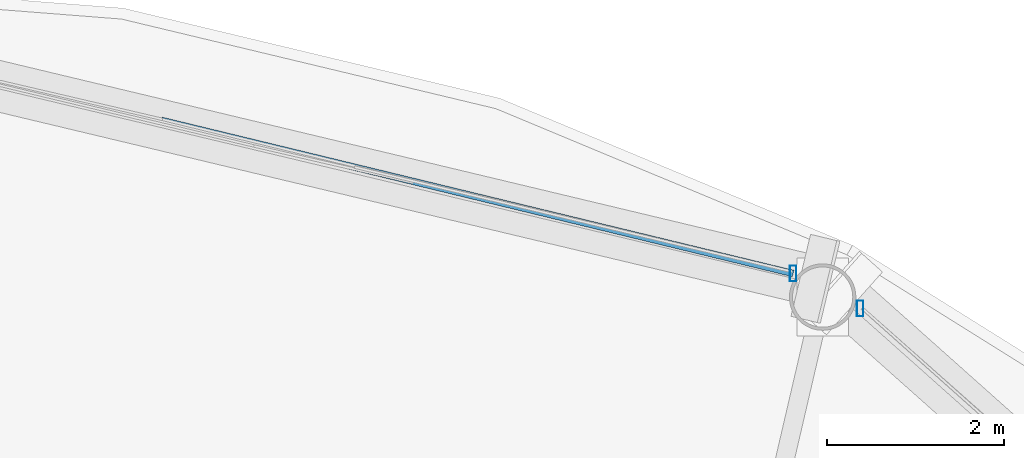
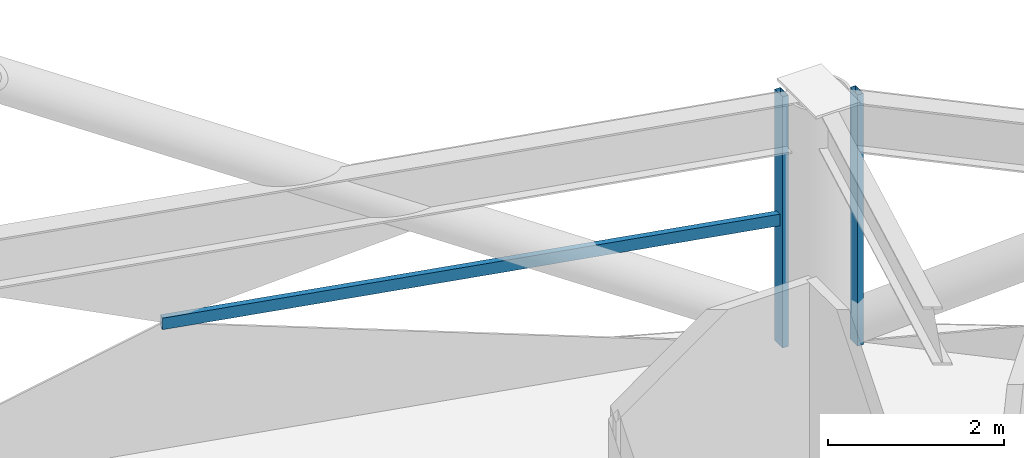
# One storey, part 19 of 29: 3 members, 2 elements without a shape of their own.
"""IFC4 building model written with IfcOpenShell, lengths in metres."""

import ifcopenshell
import ifcopenshell.guid

model = None  # the IFC model being written
_history = None  # IfcOwnerHistory: only IFC2X3 demands one
_inside = {}  # id of a spatial element -> (the spatial element, [elements in it])
_under = {}  # id of a project, library or spatial element -> (it, [spatial elements below it])
_declared = {}  # id of a project -> (the project, [libraries it declares])
_typed = {}  # id of a type object -> (the type object, [elements of that type])
_made_of = {}  # id of a material, layer set ... -> (it, [elements and type objects made of it])


def new_model(schema):
    """Start an empty IFC model of exactly this schema.

    Asked for "IFC4X3", IfcOpenShell would pick the latest addendum, in which some entities
    have other attributes; the version numbers below select the first issue.
    IFC2X3 requires an IfcOwnerHistory on every rooted entity: one is made here for all.
    """
    global model, _history
    if schema == "IFC4X3":
        model = ifcopenshell.file(schema_version=(4, 3, 0, 0))
    else:
        model = ifcopenshell.file(schema=schema)
    _inside.clear()
    _under.clear()
    _declared.clear()
    _typed.clear()
    _made_of.clear()
    _history = None
    if model.schema == "IFC2X3":
        org = make("IfcOrganization", Name="unknown")
        user = make(
            "IfcPersonAndOrganization",
            ThePerson=make("IfcPerson", FamilyName="unknown"),
            TheOrganization=org,
        )
        app = make(
            "IfcApplication",
            ApplicationDeveloper=org,
            Version="unknown",
            ApplicationFullName="unknown",
            ApplicationIdentifier="unknown",
        )
        _history = make(
            "IfcOwnerHistory",
            OwningUser=user,
            OwningApplication=app,
            ChangeAction="ADDED",
            CreationDate=0,
        )
    return model


def make(cls, **values):
    """One entity of the class cls with the attributes given. An attribute that is None is left unset."""
    return model.create_entity(
        cls, **{name: value for name, value in values.items() if value is not None}
    )


def rooted(cls, **values):
    """An entity with a GlobalId (a new one), such as an element, a storey or a relation."""
    return make(cls, GlobalId=ifcopenshell.guid.new(), OwnerHistory=_history, **values)


def si_unit(unit_type, name, prefix=None):
    """IfcSIUnit, for example si_unit("LENGTHUNIT", "METRE", prefix="MILLI")."""
    return make("IfcSIUnit", UnitType=unit_type, Prefix=prefix, Name=name)


def assignment(units):
    """IfcUnitAssignment: the units of a project."""
    return None if units is None else make("IfcUnitAssignment", Units=units)


def point(xyz):
    """IfcCartesianPoint."""
    return None if xyz is None else make("IfcCartesianPoint", Coordinates=xyz)


def direction(xyz):
    """IfcDirection."""
    return None if xyz is None else make("IfcDirection", DirectionRatios=xyz)


def frame(location, z_axis=None, x_axis=None):
    """IfcAxis2Placement3D, a coordinate frame: its origin and axes. An axis left out is left unset."""
    return make(
        "IfcAxis2Placement3D",
        Location=point(location),
        Axis=direction(z_axis),
        RefDirection=direction(x_axis),
    )


def frame_2d(location, x_axis=None):
    """IfcAxis2Placement2D, a coordinate frame in the plane: its origin and x axis."""
    return make(
        "IfcAxis2Placement2D", Location=point(location), RefDirection=direction(x_axis)
    )


def origin():
    """The frame at (0, 0, 0) with its axes left unset."""
    return frame((0.0, 0.0, 0.0))


def origin_2d():
    """The frame at (0, 0) in the plane with its x axis left unset."""
    return frame_2d((0.0, 0.0))


def place(relative_to, where):
    """IfcLocalPlacement: puts the frame where relative to a parent placement (None: the world)."""
    return make(
        "IfcLocalPlacement", PlacementRelTo=relative_to, RelativePlacement=where
    )


def context(
    kind, dimensions, precision=None, world=None, true_north=None, identifier=None
):
    """IfcGeometricRepresentationContext, for example the 3D "Model" context."""
    return make(
        "IfcGeometricRepresentationContext",
        ContextIdentifier=identifier,
        ContextType=kind,
        CoordinateSpaceDimension=dimensions,
        Precision=precision,
        WorldCoordinateSystem=world,
        TrueNorth=true_north,
    )


def subcontext(parent, identifier, kind, view, scale=None):
    """IfcGeometricRepresentationSubContext, for example "Body" below "Model"."""
    return make(
        "IfcGeometricRepresentationSubContext",
        ContextIdentifier=identifier,
        ContextType=kind,
        ParentContext=parent,
        TargetScale=scale,
        TargetView=view,
    )


def project(units=None, contexts=None):
    """IfcProject with its units and contexts."""
    return rooted(
        "IfcProject",
        Name="project",
        RepresentationContexts=contexts,
        UnitsInContext=assignment(units),
    )


def spatial(cls, under=None, at=None, **own):
    """A site, building, storey or space (cls), placed at a placement, below another one or the project."""
    s = rooted(cls, ObjectPlacement=at, **own)
    if under is not None:
        _under.setdefault(under.id(), (under, []))[1].append(s)
    return s


def profile(cls, at=None, kind="AREA", **sizes):
    """A parametric profile (cls). Its sizes go by their IFC names, for example OverallWidth=200.0."""
    return make(cls, ProfileType=kind, Position=at, **sizes)


def hollow_rectangle(**sizes):
    """IfcRectangleHollowProfileDef."""
    return profile("IfcRectangleHollowProfileDef", **sizes)


def extrude(swept, where, along, depth):
    """IfcExtrudedAreaSolid: the profile swept, set in the frame where, extruded along a direction by depth."""
    return make(
        "IfcExtrudedAreaSolid",
        SweptArea=swept,
        Position=where,
        ExtrudedDirection=direction(along),
        Depth=depth,
    )


def shape(context_of_items, identifier, shape_type, items):
    """IfcShapeRepresentation: the items that make up one representation, for example the "Body"."""
    return make(
        "IfcShapeRepresentation",
        ContextOfItems=context_of_items,
        RepresentationIdentifier=identifier,
        RepresentationType=shape_type,
        Items=items,
    )


def material(Name=None, Category=None):
    """IfcMaterial."""
    return make("IfcMaterial", Name=Name, Category=Category)


def layer(
    of_material, thickness, ventilated=None, Name=None, Category=None, Priority=None
):
    """IfcMaterialLayer: one layer of a wall or slab, of a material (None: an air gap)."""
    return make(
        "IfcMaterialLayer",
        Material=of_material,
        LayerThickness=thickness,
        IsVentilated=ventilated,
        Name=Name,
        Category=Category,
        Priority=Priority,
    )


def layer_set(layers, Name=None):
    """IfcMaterialLayerSet."""
    return make("IfcMaterialLayerSet", MaterialLayers=layers, LayerSetName=Name)


def material_profile(
    of_material, cross_section, Name=None, Category=None, Priority=None
):
    """IfcMaterialProfile: a cross section and its material."""
    return make(
        "IfcMaterialProfile",
        Name=Name,
        Material=of_material,
        Profile=cross_section,
        Priority=Priority,
        Category=Category,
    )


def profile_set(profiles, Name=None, composite=None):
    """IfcMaterialProfileSet."""
    return make(
        "IfcMaterialProfileSet",
        Name=Name,
        MaterialProfiles=profiles,
        CompositeProfile=composite,
    )


def made_of(thing, what):
    """Note that an element or type object is made of a material, layer set ...; save() writes the relation."""
    if what is not None:
        _made_of.setdefault(what.id(), (what, []))[1].append(thing)
    return thing


def type_object(cls, material=None, **own):
    """A type object (cls), such as IfcWallType, which elements share."""
    return made_of(rooted(cls, **own), material)


def element(
    cls,
    number,
    at=None,
    inside=None,
    cuts=None,
    type_object=None,
    material=None,
    context=None,
    identifier="Body",
    shape_type=None,
    held_by="IfcProductDefinitionShape",
    body=None,
    shapes=None,
    **own,
):
    """One element of the class cls, such as IfcWall. Its Tag is "e" and its number.

    at: its placement. inside: the storey or other place that contains it. cuts: it is an
    opening in that element (IfcRelVoidsElement). A single representation is given by context,
    identifier, shape_type and body (its items); several are given by shapes. held_by: the class
    of the entity that holds the representations. save() writes the other relations.
    """
    e = rooted(cls, Tag="e%d" % number, ObjectPlacement=at, **own)
    if body is not None:
        shapes = [shape(context, identifier, shape_type, body)]
    if shapes is not None:
        e.Representation = make(held_by, Representations=shapes)
    if inside is not None:
        _inside.setdefault(inside.id(), (inside, []))[1].append(e)
    if cuts is not None:
        rooted(
            "IfcRelVoidsElement", RelatingBuildingElement=cuts, RelatedOpeningElement=e
        )
    if type_object is not None:
        _typed.setdefault(type_object.id(), (type_object, []))[1].append(e)
    return made_of(e, material)


def aggregate(whole, parts):
    """IfcRelAggregates: a whole, such as a stair, and the parts it consists of."""
    return rooted("IfcRelAggregates", RelatingObject=whole, RelatedObjects=parts)


def save(model, path):
    """Write the relations noted so far, then the file.

    IfcRelAggregates (storeys below a building ...), IfcRelContainedInSpatialStructure (elements
    in a storey), IfcRelDefinesByType, IfcRelAssociatesMaterial and IfcRelDeclares: one each for
    every whole, place, type object, material and project.
    """
    for whole, parts in _under.values():
        aggregate(whole, parts)
    for where, things in _inside.values():
        rooted(
            "IfcRelContainedInSpatialStructure",
            RelatedElements=things,
            RelatingStructure=where,
        )
    for kind, things in _typed.values():
        rooted("IfcRelDefinesByType", RelatedObjects=things, RelatingType=kind)
    for what, things in _made_of.values():
        rooted("IfcRelAssociatesMaterial", RelatedObjects=things, RelatingMaterial=what)
    for by, libraries in _declared.values():
        rooted("IfcRelDeclares", RelatingContext=by, RelatedDefinitions=libraries)
    model.write(path)


model = new_model("IFC4")

# Units and contexts
model_context = context("Model", 3, precision=1e-05, world=origin(), true_north=direction((0.0, 1.0)))
body_context = subcontext(model_context, "Body", "Model", "MODEL_VIEW")
ifc_project = project(units=[si_unit("LENGTHUNIT", "METRE"), si_unit("AREAUNIT", "SQUARE_METRE"), si_unit("VOLUMEUNIT", "CUBIC_METRE"), si_unit("PLANEANGLEUNIT", "RADIAN"), si_unit("MASSUNIT", "GRAM", prefix="KILO")], contexts=[model_context])

# Site, building, storey
site_placement = place(None, origin())
site = spatial("IfcSite", under=ifc_project, at=site_placement, CompositionType="ELEMENT")
building_placement = place(site_placement, origin())
building = spatial("IfcBuilding", under=site, at=building_placement, Name="Vantalir Tower", CompositionType="ELEMENT")
storey_placement = place(building_placement, frame((0.0, 0.0, 164.699951171875)))
storey = spatial("IfcBuildingStorey", under=building, at=storey_placement, Name="L41", CompositionType="ELEMENT", Elevation=164.699951171875)

# Curtain wall, member
ifc_material_1 = material(Name="Champagne-silver PVDF aluminium and double-silver Low-E glass", Category="aluminium")
ifc_layer = layer(ifc_material_1, 0.199951171875)
ifc_layer_set = layer_set([ifc_layer], Name="Champagne-silver PVDF aluminium and double-silver Low-E glass")
curtain_wall_type = type_object("IfcCurtainWallType", Name="CW-DIAMOND-Z2", PredefinedType="USERDEFINED", material=ifc_layer_set)
curtain_wall_1_placement = place(storey_placement, origin())
curtain_wall_1 = element("IfcCurtainWall", 1, at=curtain_wall_1_placement, inside=storey, type_object=curtain_wall_type, Name="L41 Quilted Pyramid-Diamond Curtain Wall S02", ObjectType="UNITISED CURTAIN WALL", PredefinedType="USERDEFINED")
ifc_material_2 = material(Name="Champagne-silver PVDF aluminium 6063-T6", Category="aluminium")
ifc_material_profile_1 = material_profile(ifc_material_2, hollow_rectangle(XDim=0.074951171875, YDim=0.179931640625, WallThickness=0.00390625, at=origin_2d()), Name="Champagne-silver PVDF aluminium 6063-T6")
ifc_profile_set_1 = profile_set([ifc_material_profile_1], Name="Champagne-silver PVDF aluminium 6063-T6")
member_type_1 = type_object("IfcMemberType", Name="CWM-180x75", PredefinedType="MULLION", material=ifc_profile_set_1)
member_1_placement = place(storey_placement, frame((44.19091796875, 43.7919921875, 0.045166015625), z_axis=(0.0, 0.0, 1.0), x_axis=(1.0, 0.0, 0.0)))
member_1 = element("IfcMember", 2, at=member_1_placement, type_object=member_type_1, Name="CW-L41-S02 Mullion 2", PredefinedType="MULLION", context=body_context, shape_type="SweptSolid", body=[
    extrude(hollow_rectangle(XDim=0.074951171875, YDim=0.179931640625, WallThickness=0.00390625, at=origin_2d()), origin(), (0.0, 0.0, 1.0), 3.47998046875),
])
aggregate(curtain_wall_1, [member_1])

# Curtain wall, members
curtain_wall_2_placement = place(storey_placement, origin())
curtain_wall_2 = element("IfcCurtainWall", 3, at=curtain_wall_2_placement, inside=storey, type_object=curtain_wall_type, Name="L41 Quilted Pyramid-Diamond Curtain Wall S03", ObjectType="UNITISED CURTAIN WALL", PredefinedType="USERDEFINED")
member_2_placement = place(storey_placement, frame((43.43505859375, 44.18701171875, 0.045166015625), z_axis=(0.0, 0.0, 1.0), x_axis=(1.0, 0.0, 0.0)))
member_2 = element("IfcMember", 4, at=member_2_placement, type_object=member_type_1, Name="CW-L41-S03 Mullion 1", PredefinedType="MULLION", context=body_context, shape_type="SweptSolid", body=[
    extrude(hollow_rectangle(XDim=0.074951171875, YDim=0.179931640625, WallThickness=0.00390625, at=origin_2d()), origin(), (0.0, 0.0, 1.0), 3.47998046875),
])
ifc_material_profile_2 = material_profile(ifc_material_2, hollow_rectangle(XDim=0.074951171875, YDim=0.159912109375, WallThickness=0.00390625, at=origin_2d()), Name="Champagne-silver PVDF aluminium 6063-T6")
ifc_profile_set_2 = profile_set([ifc_material_profile_2], Name="Champagne-silver PVDF aluminium 6063-T6")
member_type_2 = type_object("IfcMemberType", Name="CWT-160x75", PredefinedType="USERDEFINED", material=ifc_profile_set_2)
member_3_placement = place(storey_placement, frame((43.43505859375, 44.18701171875, 1.78515625), z_axis=(-0.971857956505, 0.235567638647, 0.0), x_axis=(-0.235567638647, -0.971857956505, 0.0)))
member_3 = element("IfcMember", 5, at=member_3_placement, type_object=member_type_2, Name="CW-L41-S03 Pyramid Fold Ridge Transom", ObjectType="TRANSOM", PredefinedType="USERDEFINED", context=body_context, shape_type="SweptSolid", body=[
    extrude(hollow_rectangle(XDim=0.074951171875, YDim=0.159912109375, WallThickness=0.00390625, at=origin_2d()), origin(), (0.0, 0.0, 1.0), 7.335693359375),
])
aggregate(curtain_wall_2, [member_2, member_3])

save(model, "model.ifc")
